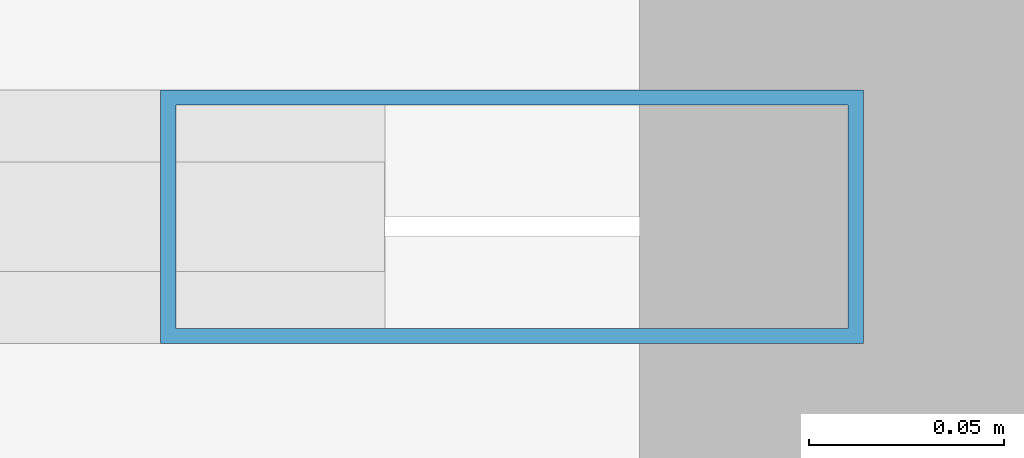
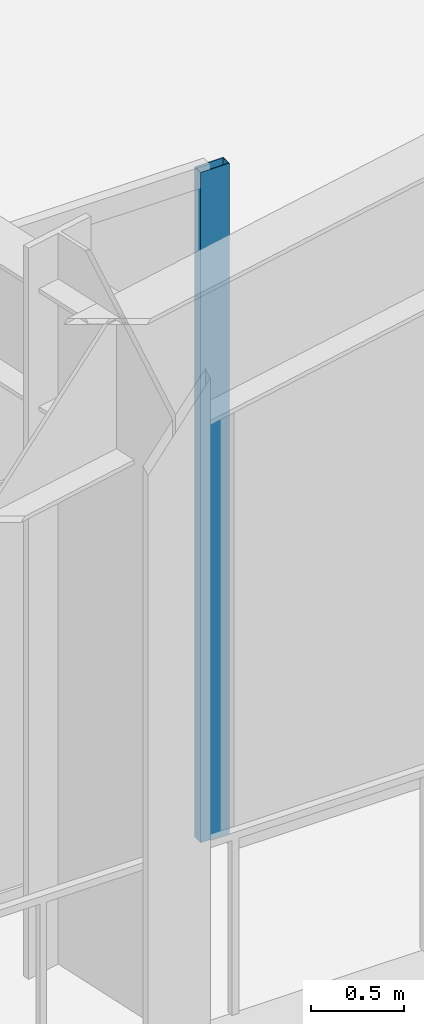
# One storey, part 10 of 28: 1 member, 1 element without a shape of its own.
"""IFC4 building model written with IfcOpenShell, lengths in metres."""

from ifc_helpers import new_model, si_unit, direction, frame, origin, origin_2d, place, context, subcontext, project, spatial, hollow_rectangle, extrude, material, layer, layer_set, material_profile, profile_set, type_object, element, aggregate, save


model = new_model("IFC4")

# Units and contexts
model_context = context("Model", 3, precision=1e-05, world=origin(), true_north=direction((0.0, 1.0)))
body_context = subcontext(model_context, "Body", "Model", "MODEL_VIEW")
ifc_project = project(units=[si_unit("LENGTHUNIT", "METRE"), si_unit("AREAUNIT", "SQUARE_METRE"), si_unit("VOLUMEUNIT", "CUBIC_METRE"), si_unit("PLANEANGLEUNIT", "RADIAN"), si_unit("MASSUNIT", "GRAM", prefix="KILO")], contexts=[model_context])

# Site, building, storey
site_placement = place(None, origin())
site = spatial("IfcSite", under=ifc_project, at=site_placement, CompositionType="ELEMENT")
building_placement = place(site_placement, origin())
building = spatial("IfcBuilding", under=site, at=building_placement, Name="Haevon Station Towers", CompositionType="ELEMENT")
storey_placement = place(building_placement, frame((0.0, 0.0, 10.800048828125)))
storey = spatial("IfcBuildingStorey", under=building, at=storey_placement, Name="L02", CompositionType="ELEMENT", Elevation=10.800048828125)

# Curtain wall, member
ifc_material_1 = material(Name="Anodised aluminium and Low-E double glazing", Category="aluminium")
ifc_layer = layer(ifc_material_1, 0.179931640625)
ifc_layer_set = layer_set([ifc_layer], Name="Anodised aluminium and Low-E double glazing")
curtain_wall_type = type_object("IfcCurtainWallType", Name="CW-SYS1", PredefinedType="NOTDEFINED", material=ifc_layer_set)
curtain_wall_placement = place(storey_placement, origin())
curtain_wall = element("IfcCurtainWall", 1, at=curtain_wall_placement, inside=storey, type_object=curtain_wall_type, Name="L02 Curtain Wall CW-POD-L02-S1", PredefinedType="NOTDEFINED")
ifc_material_2 = material(Name="Anodised aluminium 6063-T6", Category="aluminium")
ifc_material_profile = material_profile(ifc_material_2, hollow_rectangle(XDim=0.06494140625, YDim=0.179931640625, WallThickness=0.00390625, at=origin_2d()), Name="CWM-180x65x4")
ifc_profile_set = profile_set([ifc_material_profile], Name="Anodised aluminium 6063-T6")
member_type = type_object("IfcMemberType", Name="CWM-180", PredefinedType="MULLION", material=ifc_profile_set)
member_placement = place(storey_placement, frame((104.967529296875, 15.0, 0.0), z_axis=(0.0, 0.0, 1.0), x_axis=(0.0, -1.0, 0.0)))
member = element("IfcMember", 2, at=member_placement, type_object=member_type, Name="CW-SYS1 mullion 1", PredefinedType="MULLION", context=body_context, shape_type="SweptSolid", body=[
    extrude(hollow_rectangle(XDim=0.06494140625, YDim=0.179931640625, WallThickness=0.00390625, at=origin_2d()), origin(), (0.0, 0.0, 1.0), 4.39990234375),
])
aggregate(curtain_wall, [member])

save(model, "model.ifc")
